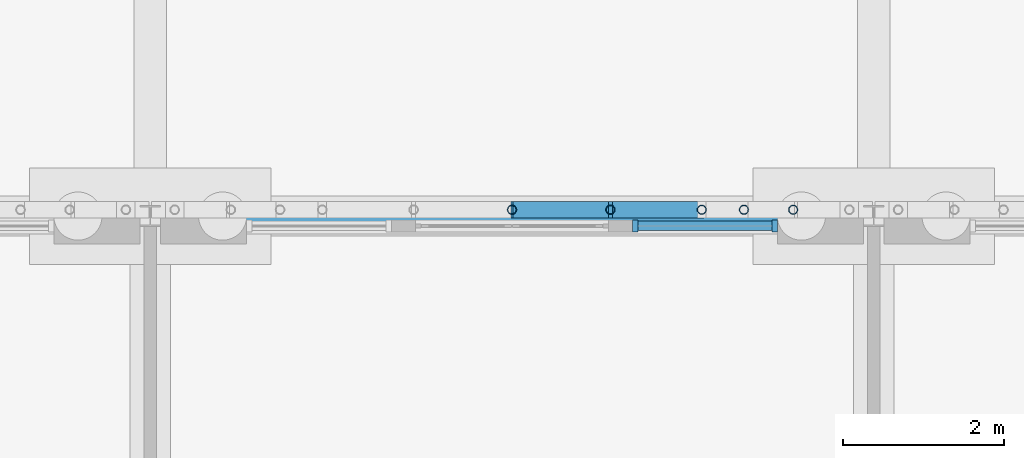
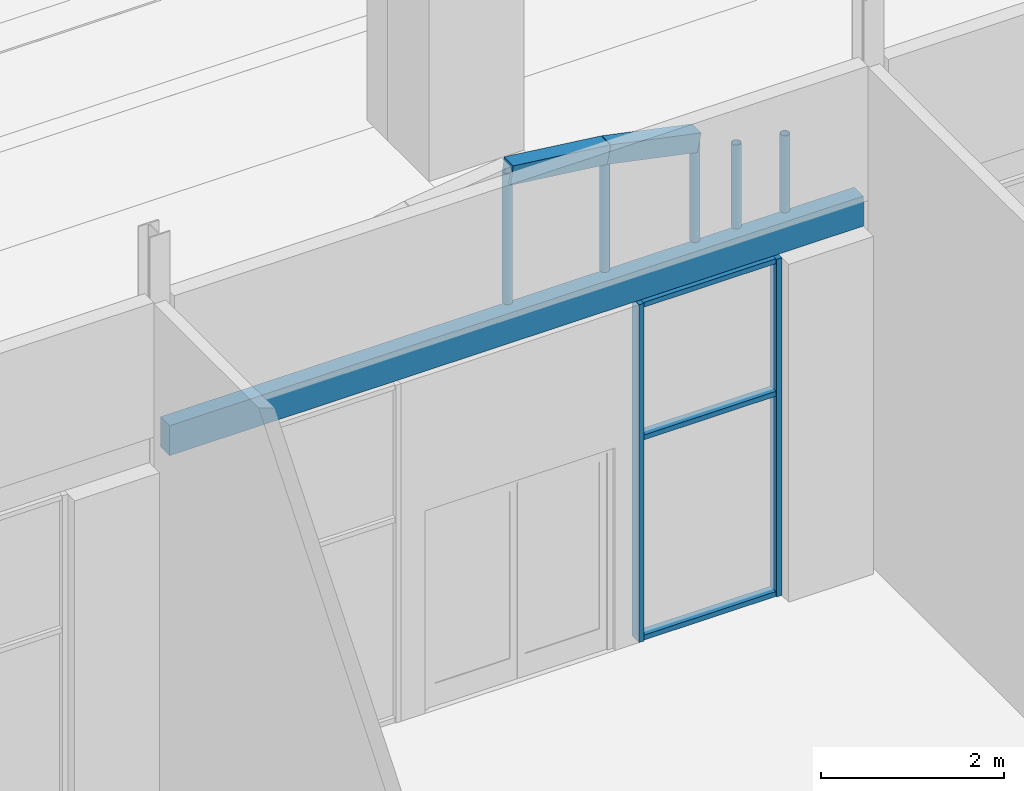
# One storey, part 60 of 250: 10 members, 3 beams, 1 element without a shape of its own.
"""IFC4 building model written with IfcOpenShell, lengths in metres."""

from ifc_helpers import new_model, si_unit, direction, frame, origin, origin_2d, place, context, subcontext, project, spatial, rectangle, hollow_circle, extrude, material, material_profile, profile_set, type_object, element, aggregate, save


model = new_model("IFC4")

# Units and contexts
model_context = context("Model", 3, precision=1e-05, world=origin(), true_north=direction((0.0, 1.0)))
body_context = subcontext(model_context, "Body", "Model", "MODEL_VIEW")
ifc_project = project(units=[si_unit("LENGTHUNIT", "METRE"), si_unit("AREAUNIT", "SQUARE_METRE"), si_unit("VOLUMEUNIT", "CUBIC_METRE"), si_unit("PLANEANGLEUNIT", "RADIAN"), si_unit("MASSUNIT", "GRAM", prefix="KILO")], contexts=[model_context])

# Site, building, storey
site_placement = place(None, origin())
site = spatial("IfcSite", under=ifc_project, at=site_placement, CompositionType="ELEMENT")
building_placement = place(site_placement, origin())
building = spatial("IfcBuilding", under=site, at=building_placement, Name="Baradari Gate Terminus", CompositionType="ELEMENT")
storey_placement = place(building_placement, origin())
storey = spatial("IfcBuildingStorey", under=building, at=storey_placement, Name="L00", CompositionType="ELEMENT", Elevation=0.0)

# Members
ifc_material_1 = material(Name="Steel S355", Category="steel")
ifc_material_profile_1 = material_profile(ifc_material_1, hollow_circle(Radius=0.05712890625, WallThickness=0.00634765625, at=origin_2d()), Name="CHS 114.3x6.3")
ifc_profile_set_1 = profile_set([ifc_material_profile_1], Name="Steel S355")
member_type_1 = type_object("IfcMemberType", Name="Arcade arch post SP-2 114x6.3", PredefinedType="POST", material=ifc_profile_set_1)
member_1_placement = place(storey_placement, frame((220.5, 108.07861328125, 4.89990234375), z_axis=(0.0, 0.0, 1.0), x_axis=(1.0, 0.0, 0.0)))
element("IfcMember", 1, at=member_1_placement, inside=storey, type_object=member_type_1, Name="Arcade arch post 24.7", PredefinedType="POST", context=body_context, shape_type="SweptSolid", body=[
    extrude(hollow_circle(Radius=0.05712890625, WallThickness=0.00634765625, at=origin_2d()), origin(), (0.0, 0.0, 1.0), 1.7421875),
])
member_2_placement = place(storey_placement, frame((221.72412109375, 108.07861328125, 4.89990234375), z_axis=(0.0, 0.0, 1.0), x_axis=(1.0, 0.0, 0.0)))
element("IfcMember", 2, at=member_2_placement, inside=storey, type_object=member_type_1, Name="Arcade arch post 24.8", PredefinedType="POST", context=body_context, shape_type="SweptSolid", body=[
    extrude(hollow_circle(Radius=0.05712890625, WallThickness=0.00634765625, at=origin_2d()), origin(), (0.0, 0.0, 1.0), 1.593017578125),
])
member_3_placement = place(storey_placement, frame((222.86083984375, 108.07861328125, 4.89990234375), z_axis=(0.0, 0.0, 1.0), x_axis=(1.0, 0.0, 0.0)))
element("IfcMember", 3, at=member_3_placement, inside=storey, type_object=member_type_1, Name="Arcade arch post 24.9", PredefinedType="POST", context=body_context, shape_type="SweptSolid", body=[
    extrude(hollow_circle(Radius=0.05712890625, WallThickness=0.00634765625, at=origin_2d()), origin(), (0.0, 0.0, 1.0), 1.354248046875),
])
member_4_placement = place(storey_placement, frame((223.385498046875, 108.07861328125, 4.89990234375), z_axis=(0.0, 0.0, 1.0), x_axis=(1.0, 0.0, 0.0)))
element("IfcMember", 4, at=member_4_placement, inside=storey, type_object=member_type_1, Name="Arcade arch post 24.10", PredefinedType="POST", context=body_context, shape_type="SweptSolid", body=[
    extrude(hollow_circle(Radius=0.05712890625, WallThickness=0.00634765625, at=origin_2d()), origin(), (0.0, 0.0, 1.0), 1.115478515625),
])
member_5_placement = place(storey_placement, frame((223.99755859375, 108.07861328125, 4.89990234375), z_axis=(0.0, 0.0, 1.0), x_axis=(1.0, 0.0, 0.0)))
element("IfcMember", 5, at=member_5_placement, inside=storey, type_object=member_type_1, Name="Arcade arch post 24.11", PredefinedType="POST", context=body_context, shape_type="SweptSolid", body=[
    extrude(hollow_circle(Radius=0.05712890625, WallThickness=0.00634765625, at=origin_2d()), origin(), (0.0, 0.0, 1.0), 1.02587890625),
])

# Beams
ifc_material_2 = material(Name="Concrete C40/50 precast", Category="concrete")
ifc_material_profile_2 = material_profile(ifc_material_2, rectangle(XDim=0.199951171875, YDim=0.25, at=origin_2d()), Name="AB-1 200X250")
ifc_profile_set_2 = profile_set([ifc_material_profile_2], Name="Concrete C40/50 precast")
beam_type_1 = type_object("IfcBeamType", Name="Arcade arch segment AB-1 200x250", PredefinedType="BEAM", material=ifc_profile_set_2)
beam_1_placement = place(storey_placement, frame((220.5, 108.07861328125, 6.64208984375), z_axis=(0.992656897947, 0.0, -0.120963973802), x_axis=(0.0, 1.0, 0.0)))
element("IfcBeam", 6, at=beam_1_placement, inside=storey, type_object=beam_type_1, Name="Arcade arch AB-1 bay 24 segment 7", PredefinedType="BEAM", context=body_context, shape_type="SweptSolid", body=[
    extrude(rectangle(XDim=0.199951171875, YDim=0.25, at=origin_2d()), origin(), (0.0, 0.0, 1.0), 1.233154296875),
])
beam_2_placement = place(storey_placement, frame((221.72412109375, 108.07861328125, 6.492919921875), z_axis=(0.978643349291, 0.0, -0.205565548885), x_axis=(0.0, 1.0, 0.0)))
element("IfcBeam", 7, at=beam_2_placement, inside=storey, type_object=beam_type_1, Name="Arcade arch AB-1 bay 24 segment 8", PredefinedType="BEAM", context=body_context, shape_type="SweptSolid", body=[
    extrude(rectangle(XDim=0.199951171875, YDim=0.25, at=origin_2d()), origin(), (0.0, 0.0, 1.0), 1.16162109375),
])
ifc_material_3 = material(Name="Concrete C50/60 precast", Category="concrete")
ifc_material_profile_3 = material_profile(ifc_material_3, rectangle(XDim=0.199951171875, YDim=0.39990234375, at=origin_2d()), Name="LB-1 200X400")
ifc_profile_set_3 = profile_set([ifc_material_profile_3], Name="Concrete C50/60 precast")
beam_type_2 = type_object("IfcBeamType", Name="Arcade lintel LB-1 200x400", PredefinedType="LINTEL", material=ifc_profile_set_3)
beam_3_placement = place(storey_placement, frame((216.128173828125, 107.978515625, 4.699951171875), z_axis=(1.0, 0.0, 0.0), x_axis=(0.0, 1.0, 0.0)))
element("IfcBeam", 8, at=beam_3_placement, inside=storey, type_object=beam_type_2, Name="Arcade lintel LB-1 bay 24", PredefinedType="LINTEL", context=body_context, shape_type="SweptSolid", body=[
    extrude(rectangle(XDim=0.199951171875, YDim=0.39990234375, at=origin_2d()), origin(), (0.0, 0.0, 1.0), 8.74365234375),
])

# Curtain wall, members
ifc_material_4 = material(Name="Aluminium 6063-T6", Category="aluminium")
curtain_wall_type = type_object("IfcCurtainWallType", Name="Curtain wall CW-2 shopfront", PredefinedType="NOTDEFINED", material=ifc_material_4)
curtain_wall_placement = place(storey_placement, origin())
curtain_wall = element("IfcCurtainWall", 9, at=curtain_wall_placement, inside=storey, type_object=curtain_wall_type, Name="Shopfront curtain wall CW-2 HN bay 24 L00", PredefinedType="NOTDEFINED")
ifc_material_5 = material(Name="Aluminium 6063-T6", Category="aluminium")
ifc_material_profile_4 = material_profile(ifc_material_5, rectangle(XDim=0.14990234375, YDim=0.06494140625, at=origin_2d()), Name="CM-2 65X150")
ifc_profile_set_4 = profile_set([ifc_material_profile_4], Name="Aluminium 6063-T6")
member_type_2 = type_object("IfcMemberType", Name="Curtain wall mullion CM-2 65x150", PredefinedType="MULLION", material=ifc_profile_set_4)
member_6_placement = place(storey_placement, frame((222.032470703125, 107.87841796875, 0.0), z_axis=(0.0, 0.0, 1.0), x_axis=(0.0, 1.0, 0.0)))
member_6 = element("IfcMember", 10, at=member_6_placement, type_object=member_type_2, Name="CW-2 mullion 1", PredefinedType="MULLION", context=body_context, shape_type="SweptSolid", body=[
    extrude(rectangle(XDim=0.14990234375, YDim=0.06494140625, at=origin_2d()), origin(), (0.0, 0.0, 1.0), 4.5),
])
member_7_placement = place(storey_placement, frame((223.767578125, 107.87841796875, 0.0), z_axis=(0.0, 0.0, 1.0), x_axis=(0.0, 1.0, 0.0)))
member_7 = element("IfcMember", 11, at=member_7_placement, type_object=member_type_2, Name="CW-2 mullion 2", PredefinedType="MULLION", context=body_context, shape_type="SweptSolid", body=[
    extrude(rectangle(XDim=0.14990234375, YDim=0.06494140625, at=origin_2d()), origin(), (0.0, 0.0, 1.0), 4.5),
])
ifc_material_6 = material(Name="Aluminium 6063-T6", Category="aluminium")
ifc_material_profile_5 = material_profile(ifc_material_6, rectangle(XDim=0.1201171875, YDim=0.06494140625, at=origin_2d()), Name="CT-2 65X120")
ifc_profile_set_5 = profile_set([ifc_material_profile_5], Name="Aluminium 6063-T6")
member_type_3 = type_object("IfcMemberType", Name="Curtain wall transom CT-2 65x120", PredefinedType="USERDEFINED", material=ifc_profile_set_5)
member_8_placement = place(storey_placement, frame((222.06494140625, 107.87841796875, 0.032470703125), z_axis=(1.0, 0.0, 0.0), x_axis=(0.0, 1.0, 0.0)))
member_8 = element("IfcMember", 12, at=member_8_placement, type_object=member_type_3, Name="CW-2 transom 1.1", ObjectType="TRANSOM", PredefinedType="USERDEFINED", context=body_context, shape_type="SweptSolid", body=[
    extrude(rectangle(XDim=0.1201171875, YDim=0.06494140625, at=origin_2d()), origin(), (0.0, 0.0, 1.0), 1.670166015625),
])
member_9_placement = place(storey_placement, frame((222.06494140625, 107.87841796875, 2.699951171875), z_axis=(1.0, 0.0, 0.0), x_axis=(0.0, 1.0, 0.0)))
member_9 = element("IfcMember", 13, at=member_9_placement, type_object=member_type_3, Name="CW-2 transom 1.2", ObjectType="TRANSOM", PredefinedType="USERDEFINED", context=body_context, shape_type="SweptSolid", body=[
    extrude(rectangle(XDim=0.1201171875, YDim=0.06494140625, at=origin_2d()), origin(), (0.0, 0.0, 1.0), 1.670166015625),
])
member_10_placement = place(storey_placement, frame((222.06494140625, 107.87841796875, 4.467529296875), z_axis=(1.0, 0.0, 0.0), x_axis=(0.0, 1.0, 0.0)))
member_10 = element("IfcMember", 14, at=member_10_placement, type_object=member_type_3, Name="CW-2 transom 1.3", ObjectType="TRANSOM", PredefinedType="USERDEFINED", context=body_context, shape_type="SweptSolid", body=[
    extrude(rectangle(XDim=0.1201171875, YDim=0.06494140625, at=origin_2d()), origin(), (0.0, 0.0, 1.0), 1.670166015625),
])
aggregate(curtain_wall, [member_6, member_7, member_8, member_9, member_10])

save(model, "model.ifc")
